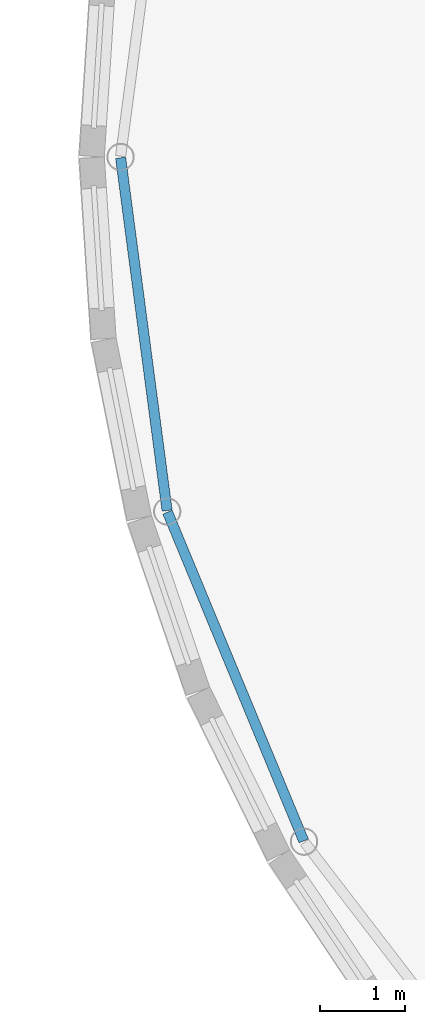
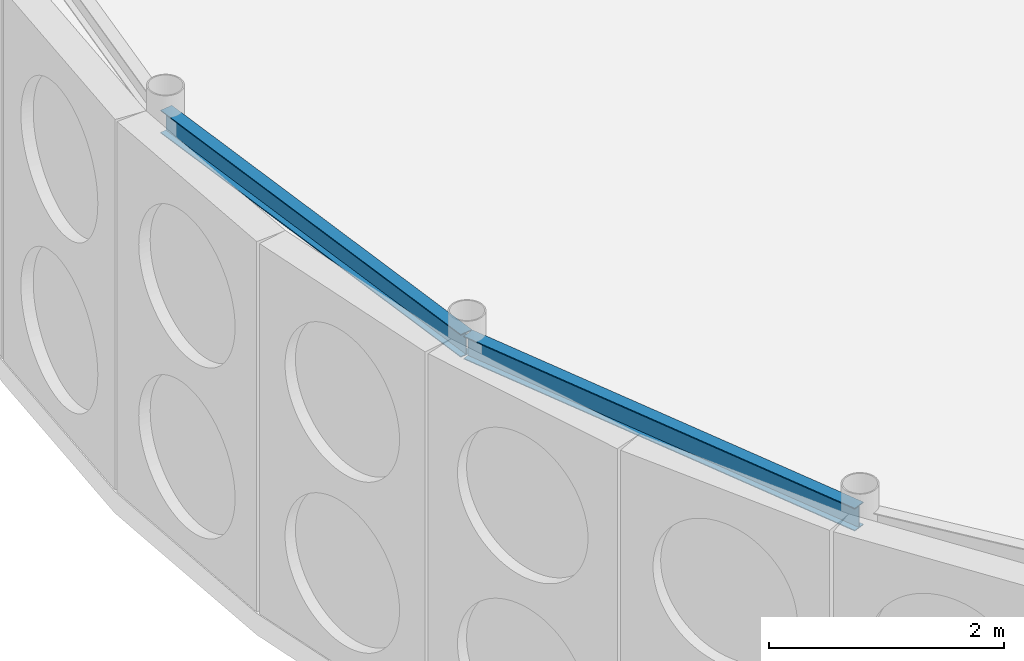
# One storey, part 49 of 189: 2 beams.
"""IFC4 building model written with IfcOpenShell, lengths in metres."""

import ifcopenshell
import ifcopenshell.guid

model = None  # the IFC model being written
_history = None  # IfcOwnerHistory: only IFC2X3 demands one
_inside = {}  # id of a spatial element -> (the spatial element, [elements in it])
_under = {}  # id of a project, library or spatial element -> (it, [spatial elements below it])
_declared = {}  # id of a project -> (the project, [libraries it declares])
_typed = {}  # id of a type object -> (the type object, [elements of that type])
_made_of = {}  # id of a material, layer set ... -> (it, [elements and type objects made of it])


def new_model(schema):
    """Start an empty IFC model of exactly this schema.

    Asked for "IFC4X3", IfcOpenShell would pick the latest addendum, in which some entities
    have other attributes; the version numbers below select the first issue.
    IFC2X3 requires an IfcOwnerHistory on every rooted entity: one is made here for all.
    """
    global model, _history
    if schema == "IFC4X3":
        model = ifcopenshell.file(schema_version=(4, 3, 0, 0))
    else:
        model = ifcopenshell.file(schema=schema)
    _inside.clear()
    _under.clear()
    _declared.clear()
    _typed.clear()
    _made_of.clear()
    _history = None
    if model.schema == "IFC2X3":
        org = make("IfcOrganization", Name="unknown")
        user = make(
            "IfcPersonAndOrganization",
            ThePerson=make("IfcPerson", FamilyName="unknown"),
            TheOrganization=org,
        )
        app = make(
            "IfcApplication",
            ApplicationDeveloper=org,
            Version="unknown",
            ApplicationFullName="unknown",
            ApplicationIdentifier="unknown",
        )
        _history = make(
            "IfcOwnerHistory",
            OwningUser=user,
            OwningApplication=app,
            ChangeAction="ADDED",
            CreationDate=0,
        )
    return model


def make(cls, **values):
    """One entity of the class cls with the attributes given. An attribute that is None is left unset."""
    return model.create_entity(
        cls, **{name: value for name, value in values.items() if value is not None}
    )


def rooted(cls, **values):
    """An entity with a GlobalId (a new one), such as an element, a storey or a relation."""
    return make(cls, GlobalId=ifcopenshell.guid.new(), OwnerHistory=_history, **values)


def si_unit(unit_type, name, prefix=None):
    """IfcSIUnit, for example si_unit("LENGTHUNIT", "METRE", prefix="MILLI")."""
    return make("IfcSIUnit", UnitType=unit_type, Prefix=prefix, Name=name)


def assignment(units):
    """IfcUnitAssignment: the units of a project."""
    return None if units is None else make("IfcUnitAssignment", Units=units)


def point(xyz):
    """IfcCartesianPoint."""
    return None if xyz is None else make("IfcCartesianPoint", Coordinates=xyz)


def direction(xyz):
    """IfcDirection."""
    return None if xyz is None else make("IfcDirection", DirectionRatios=xyz)


def frame(location, z_axis=None, x_axis=None):
    """IfcAxis2Placement3D, a coordinate frame: its origin and axes. An axis left out is left unset."""
    return make(
        "IfcAxis2Placement3D",
        Location=point(location),
        Axis=direction(z_axis),
        RefDirection=direction(x_axis),
    )


def frame_2d(location, x_axis=None):
    """IfcAxis2Placement2D, a coordinate frame in the plane: its origin and x axis."""
    return make(
        "IfcAxis2Placement2D", Location=point(location), RefDirection=direction(x_axis)
    )


def origin():
    """The frame at (0, 0, 0) with its axes left unset."""
    return frame((0.0, 0.0, 0.0))


def origin_2d():
    """The frame at (0, 0) in the plane with its x axis left unset."""
    return frame_2d((0.0, 0.0))


def place(relative_to, where):
    """IfcLocalPlacement: puts the frame where relative to a parent placement (None: the world)."""
    return make(
        "IfcLocalPlacement", PlacementRelTo=relative_to, RelativePlacement=where
    )


def context(
    kind, dimensions, precision=None, world=None, true_north=None, identifier=None
):
    """IfcGeometricRepresentationContext, for example the 3D "Model" context."""
    return make(
        "IfcGeometricRepresentationContext",
        ContextIdentifier=identifier,
        ContextType=kind,
        CoordinateSpaceDimension=dimensions,
        Precision=precision,
        WorldCoordinateSystem=world,
        TrueNorth=true_north,
    )


def subcontext(parent, identifier, kind, view, scale=None):
    """IfcGeometricRepresentationSubContext, for example "Body" below "Model"."""
    return make(
        "IfcGeometricRepresentationSubContext",
        ContextIdentifier=identifier,
        ContextType=kind,
        ParentContext=parent,
        TargetScale=scale,
        TargetView=view,
    )


def project(units=None, contexts=None):
    """IfcProject with its units and contexts."""
    return rooted(
        "IfcProject",
        Name="project",
        RepresentationContexts=contexts,
        UnitsInContext=assignment(units),
    )


def spatial(cls, under=None, at=None, **own):
    """A site, building, storey or space (cls), placed at a placement, below another one or the project."""
    s = rooted(cls, ObjectPlacement=at, **own)
    if under is not None:
        _under.setdefault(under.id(), (under, []))[1].append(s)
    return s


def profile(cls, at=None, kind="AREA", **sizes):
    """A parametric profile (cls). Its sizes go by their IFC names, for example OverallWidth=200.0."""
    return make(cls, ProfileType=kind, Position=at, **sizes)


def i_section(**sizes):
    """IfcIShapeProfileDef."""
    return profile("IfcIShapeProfileDef", **sizes)


def extrude(swept, where, along, depth):
    """IfcExtrudedAreaSolid: the profile swept, set in the frame where, extruded along a direction by depth."""
    return make(
        "IfcExtrudedAreaSolid",
        SweptArea=swept,
        Position=where,
        ExtrudedDirection=direction(along),
        Depth=depth,
    )


def shape(context_of_items, identifier, shape_type, items):
    """IfcShapeRepresentation: the items that make up one representation, for example the "Body"."""
    return make(
        "IfcShapeRepresentation",
        ContextOfItems=context_of_items,
        RepresentationIdentifier=identifier,
        RepresentationType=shape_type,
        Items=items,
    )


def material(Name=None, Category=None):
    """IfcMaterial."""
    return make("IfcMaterial", Name=Name, Category=Category)


def material_profile(
    of_material, cross_section, Name=None, Category=None, Priority=None
):
    """IfcMaterialProfile: a cross section and its material."""
    return make(
        "IfcMaterialProfile",
        Name=Name,
        Material=of_material,
        Profile=cross_section,
        Priority=Priority,
        Category=Category,
    )


def profile_set(profiles, Name=None, composite=None):
    """IfcMaterialProfileSet."""
    return make(
        "IfcMaterialProfileSet",
        Name=Name,
        MaterialProfiles=profiles,
        CompositeProfile=composite,
    )


def made_of(thing, what):
    """Note that an element or type object is made of a material, layer set ...; save() writes the relation."""
    if what is not None:
        _made_of.setdefault(what.id(), (what, []))[1].append(thing)
    return thing


def type_object(cls, material=None, **own):
    """A type object (cls), such as IfcWallType, which elements share."""
    return made_of(rooted(cls, **own), material)


def element(
    cls,
    number,
    at=None,
    inside=None,
    cuts=None,
    type_object=None,
    material=None,
    context=None,
    identifier="Body",
    shape_type=None,
    held_by="IfcProductDefinitionShape",
    body=None,
    shapes=None,
    **own,
):
    """One element of the class cls, such as IfcWall. Its Tag is "e" and its number.

    at: its placement. inside: the storey or other place that contains it. cuts: it is an
    opening in that element (IfcRelVoidsElement). A single representation is given by context,
    identifier, shape_type and body (its items); several are given by shapes. held_by: the class
    of the entity that holds the representations. save() writes the other relations.
    """
    e = rooted(cls, Tag="e%d" % number, ObjectPlacement=at, **own)
    if body is not None:
        shapes = [shape(context, identifier, shape_type, body)]
    if shapes is not None:
        e.Representation = make(held_by, Representations=shapes)
    if inside is not None:
        _inside.setdefault(inside.id(), (inside, []))[1].append(e)
    if cuts is not None:
        rooted(
            "IfcRelVoidsElement", RelatingBuildingElement=cuts, RelatedOpeningElement=e
        )
    if type_object is not None:
        _typed.setdefault(type_object.id(), (type_object, []))[1].append(e)
    return made_of(e, material)


def aggregate(whole, parts):
    """IfcRelAggregates: a whole, such as a stair, and the parts it consists of."""
    return rooted("IfcRelAggregates", RelatingObject=whole, RelatedObjects=parts)


def save(model, path):
    """Write the relations noted so far, then the file.

    IfcRelAggregates (storeys below a building ...), IfcRelContainedInSpatialStructure (elements
    in a storey), IfcRelDefinesByType, IfcRelAssociatesMaterial and IfcRelDeclares: one each for
    every whole, place, type object, material and project.
    """
    for whole, parts in _under.values():
        aggregate(whole, parts)
    for where, things in _inside.values():
        rooted(
            "IfcRelContainedInSpatialStructure",
            RelatedElements=things,
            RelatingStructure=where,
        )
    for kind, things in _typed.values():
        rooted("IfcRelDefinesByType", RelatedObjects=things, RelatingType=kind)
    for what, things in _made_of.values():
        rooted("IfcRelAssociatesMaterial", RelatedObjects=things, RelatingMaterial=what)
    for by, libraries in _declared.values():
        rooted("IfcRelDeclares", RelatingContext=by, RelatedDefinitions=libraries)
    model.write(path)


model = new_model("IFC4")

# Units and contexts
model_context = context("Model", 3, precision=1e-05, world=origin(), true_north=direction((0.0, 1.0)))
body_context = subcontext(model_context, "Body", "Model", "MODEL_VIEW")
ifc_project = project(units=[si_unit("LENGTHUNIT", "METRE"), si_unit("AREAUNIT", "SQUARE_METRE"), si_unit("VOLUMEUNIT", "CUBIC_METRE"), si_unit("PLANEANGLEUNIT", "RADIAN"), si_unit("MASSUNIT", "GRAM", prefix="KILO")], contexts=[model_context])

# Site, building, storey
site_placement = place(None, origin())
site = spatial("IfcSite", under=ifc_project, at=site_placement, CompositionType="ELEMENT")
building_placement = place(site_placement, origin())
building = spatial("IfcBuilding", under=site, at=building_placement, Name="Montecoro Central Library", CompositionType="ELEMENT")
storey_placement = place(building_placement, frame((0.0, 0.0, 9.179931640625)))
storey = spatial("IfcBuildingStorey", under=building, at=storey_placement, Name="L02", CompositionType="ELEMENT", Elevation=9.179931640625)

# Beams
ifc_material = material(Name="Steel S355", Category="steel")
ifc_material_profile = material_profile(ifc_material, i_section(OverallWidth=0.1201171875, OverallDepth=0.239990234375, WebThickness=0.006103515625, FlangeThickness=0.009765625, at=origin_2d()), Name="IPE 240")
ifc_profile_set = profile_set([ifc_material_profile], Name="Steel S355")
beam_type = type_object("IfcBeamType", Name="BM-SP-IPE240", PredefinedType="SPANDREL", material=ifc_profile_set)
beam_1_placement = place(storey_placement, frame((75.4208984375, 35.389892578125, 3.705078125), z_axis=(0.130607740177, -0.99143412197, 0.0), x_axis=(0.99143412197, 0.130607740177, 0.0)))
element("IfcBeam", 1, at=beam_1_placement, inside=storey, type_object=beam_type, Name="V1-L02-RING-13", PredefinedType="SPANDREL", context=body_context, shape_type="SweptSolid", body=[
    extrude(i_section(OverallWidth=0.1201171875, OverallDepth=0.239990234375, WebThickness=0.006103515625, FlangeThickness=0.009765625, at=origin_2d()), origin(), (0.0, 0.0, 1.0), 4.2041015625),
])
beam_2_placement = place(storey_placement, frame((75.97509765625, 31.202880859375, 3.705078125), z_axis=(0.382717667995, -0.923865350906, 0.0), x_axis=(0.923865350906, 0.382717667995, 0.0)))
element("IfcBeam", 2, at=beam_2_placement, inside=storey, type_object=beam_type, Name="V1-L02-RING-14", PredefinedType="SPANDREL", context=body_context, shape_type="SweptSolid", body=[
    extrude(i_section(OverallWidth=0.1201171875, OverallDepth=0.239990234375, WebThickness=0.006103515625, FlangeThickness=0.009765625, at=origin_2d()), origin(), (0.0, 0.0, 1.0), 4.203857421875),
])

save(model, "model.ifc")
